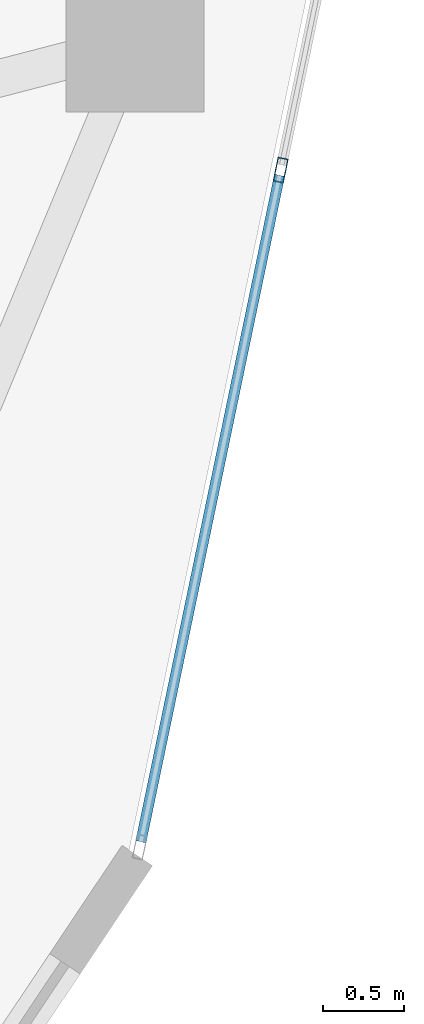
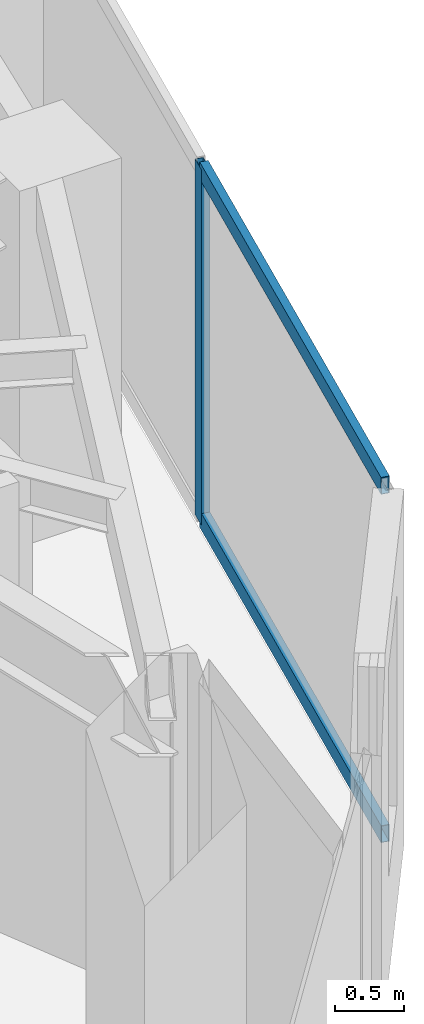
# One storey, part 7 of 20: 3 members, 1 element without a shape of its own.
"""IFC4 building model written with IfcOpenShell, lengths in metres."""

from ifc_helpers import new_model, si_unit, direction, frame, origin, origin_2d, place, context, subcontext, project, spatial, hollow_rectangle, extrude, source, transform, mapped, material, layer, layer_set, material_profile, profile_set, type_object, type_shapes, element, aggregate, save


model = new_model("IFC4")

# Units and contexts
model_context = context("Model", 3, precision=1e-05, world=origin(), true_north=direction((0.0, 1.0)))
body_context = subcontext(model_context, "Body", "Model", "MODEL_VIEW")
ifc_project = project(units=[si_unit("LENGTHUNIT", "METRE"), si_unit("AREAUNIT", "SQUARE_METRE"), si_unit("VOLUMEUNIT", "CUBIC_METRE"), si_unit("PLANEANGLEUNIT", "RADIAN"), si_unit("MASSUNIT", "GRAM", prefix="KILO")], contexts=[model_context])

# Site, building, storey
site_placement = place(None, origin())
site = spatial("IfcSite", under=ifc_project, at=site_placement, CompositionType="ELEMENT")
building_placement = place(site_placement, origin())
building = spatial("IfcBuilding", under=site, at=building_placement, Name="Talar Marvaseh", CompositionType="ELEMENT")
storey_placement = place(building_placement, frame((0.0, 0.0, 244.199951171875)))
storey = spatial("IfcBuildingStorey", under=building, at=storey_placement, Name="L64", CompositionType="ELEMENT", Elevation=244.199951171875)

# Curtain wall, members
ifc_material = material(Name="Architectural Aluminium", Category="aluminium")
ifc_layer = layer(ifc_material, 0.179931640625)
ifc_layer_set = layer_set([ifc_layer], Name="Architectural Aluminium")
curtain_wall_type = type_object("IfcCurtainWallType", Name="Unitised High-Wind Sky Curtain Wall Z4", PredefinedType="NOTDEFINED", material=ifc_layer_set)
curtain_wall_placement = place(storey_placement, origin())
curtain_wall = element("IfcCurtainWall", 1, at=curtain_wall_placement, inside=storey, type_object=curtain_wall_type, Name="L64 Unitised High-Wind Sky Curtain Wall Z4", PredefinedType="NOTDEFINED")
ifc_material_profile_1 = material_profile(ifc_material, hollow_rectangle(XDim=0.06494140625, YDim=0.14990234375, WallThickness=0.00390625, at=origin_2d()), Name="RHS150x65x4")
ifc_profile_set_1 = profile_set([ifc_material_profile_1], Name="Architectural Aluminium")
member_type_1 = type_object("IfcMemberType", Name="Unitised Curtain Wall Slim Transom RHS150x65x4", PredefinedType="USERDEFINED", material=ifc_profile_set_1)
shared_shape_1 = source(origin(), body_context, "Body", "SweptSolid", [
    extrude(hollow_rectangle(XDim=0.06494140625, YDim=0.14990234375, WallThickness=0.00390625, at=origin_2d()), origin(), (0.0, 0.0, 1.0), 4.188720703125),
])
type_shapes(member_type_1, [shared_shape_1])
member_1_placement = place(storey_placement, frame((38.08642578125, 25.69970703125, 0.032470703125), z_axis=(-0.203765719887, -0.97901967876, 0.0), x_axis=(0.97901967876, -0.203765719887, 0.0)))
member_1 = element("IfcMember", 2, at=member_1_placement, type_object=member_type_1, Name="CW-Z4 transom 4.1", ObjectType="TRANSOM", PredefinedType="USERDEFINED", context=body_context, shape_type="MappedRepresentation", body=[
    mapped(shared_shape_1, transform((0.0, 0.0, 0.0), x_axis=(1.0, 0.0, 0.0), y_axis=(0.0, 1.0, 0.0), z_axis=(0.0, 0.0, 1.0), scale=1.0)),
])
member_2_placement = place(storey_placement, frame((38.08642578125, 25.69970703125, 3.107666015625), z_axis=(-0.203765719887, -0.97901967876, 0.0), x_axis=(0.97901967876, -0.203765719887, 0.0)))
member_2 = element("IfcMember", 3, at=member_2_placement, type_object=member_type_1, Name="CW-Z4 transom 4.2", ObjectType="TRANSOM", PredefinedType="USERDEFINED", context=body_context, shape_type="MappedRepresentation", body=[
    mapped(shared_shape_1, transform((0.0, 0.0, 0.0), x_axis=(1.0, 0.0, 0.0), y_axis=(0.0, 1.0, 0.0), z_axis=(0.0, 0.0, 1.0), scale=1.0)),
])
ifc_material_profile_2 = material_profile(ifc_material, hollow_rectangle(XDim=0.06494140625, YDim=0.14990234375, WallThickness=0.00390625, at=origin_2d()), Name="RHS150x65x4")
ifc_profile_set_2 = profile_set([ifc_material_profile_2], Name="Architectural Aluminium")
member_type_2 = type_object("IfcMemberType", Name="Unitised Curtain Wall Slim Mullion RHS150x65x4", PredefinedType="MULLION", material=ifc_profile_set_2)
shared_shape_2 = source(origin(), body_context, "Body", "SweptSolid", [
    extrude(hollow_rectangle(XDim=0.06494140625, YDim=0.14990234375, WallThickness=0.00390625, at=origin_2d()), origin(), (0.0, 0.0, 1.0), 3.14013671875),
])
type_shapes(member_type_2, [shared_shape_2])
member_3_placement = place(storey_placement, frame((38.093017578125, 25.7314453125, 0.0), z_axis=(0.0, 0.0, 1.0), x_axis=(0.979014373076, -0.203791210093, 0.0)))
member_3 = element("IfcMember", 4, at=member_3_placement, type_object=member_type_2, Name="CW-Z4 mullion 4", PredefinedType="MULLION", context=body_context, shape_type="MappedRepresentation", body=[
    mapped(shared_shape_2, transform((0.0, 0.0, 0.0), x_axis=(1.0, 0.0, 0.0), y_axis=(0.0, 1.0, 0.0), z_axis=(0.0, 0.0, 1.0), scale=1.0)),
])
aggregate(curtain_wall, [member_3, member_1, member_2])

save(model, "model.ifc")
